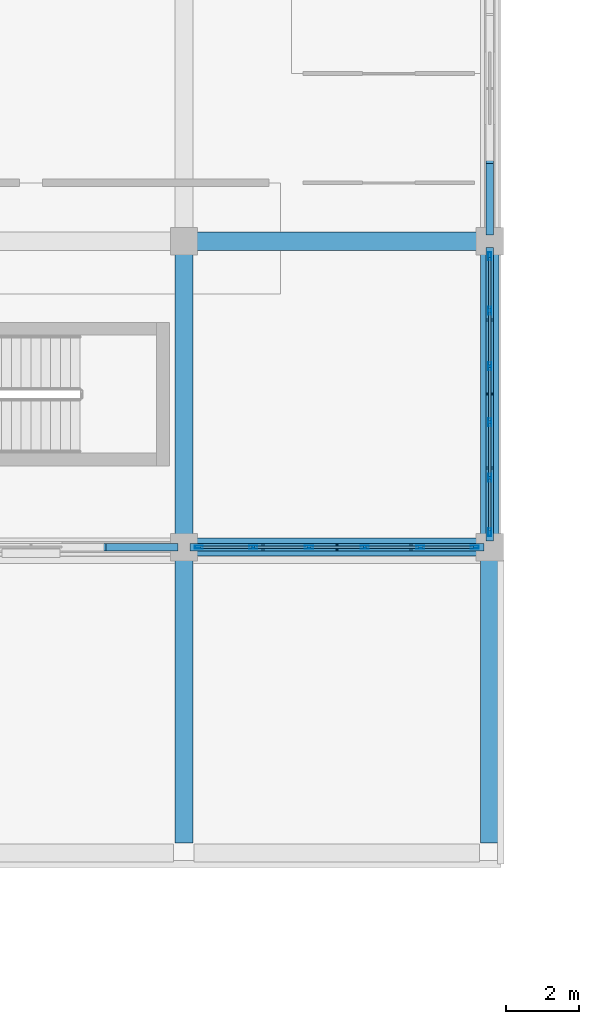
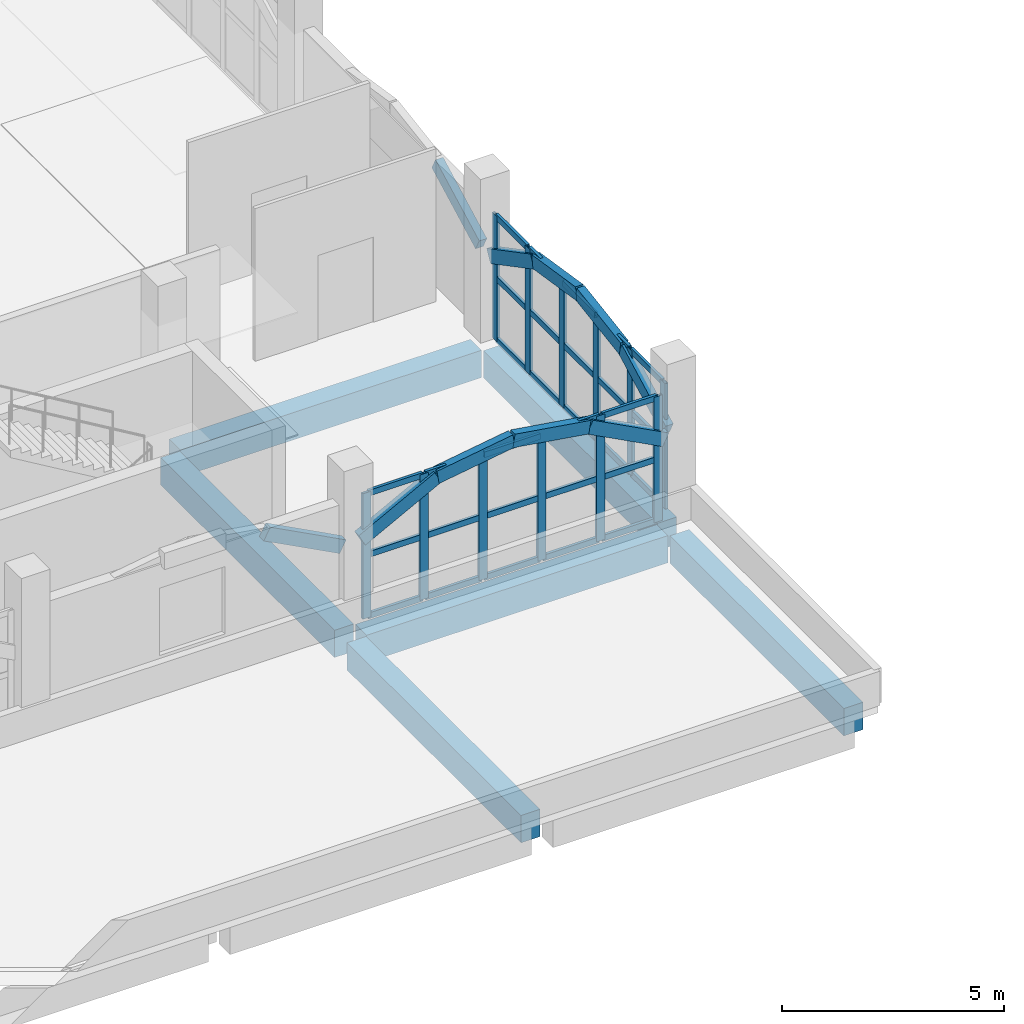
# One storey, part 13 of 30: 52 members, 6 beams, 2 elements without a shape of their own.
"""IFC4 building model written with IfcOpenShell, lengths in metres."""

from ifc_helpers import new_model, si_unit, direction, frame, origin, origin_2d, place, context, subcontext, project, spatial, rectangle, hollow_rectangle, extrude, material, layer, layer_set, material_profile, profile_set, type_object, element, aggregate, save


model = new_model("IFC4")

# Units and contexts
model_context = context("Model", 3, precision=1e-05, world=origin(), true_north=direction((0.0, 1.0)))
body_context = subcontext(model_context, "Body", "Model", "MODEL_VIEW")
ifc_project = project(units=[si_unit("LENGTHUNIT", "METRE"), si_unit("AREAUNIT", "SQUARE_METRE"), si_unit("VOLUMEUNIT", "CUBIC_METRE"), si_unit("PLANEANGLEUNIT", "RADIAN"), si_unit("MASSUNIT", "GRAM", prefix="KILO")], contexts=[model_context])

# Site, building, storey
site_placement = place(None, origin())
site = spatial("IfcSite", under=ifc_project, at=site_placement, CompositionType="ELEMENT")
building_placement = place(site_placement, origin())
building = spatial("IfcBuilding", under=site, at=building_placement, Name="Xazarin Passage Department Store", CompositionType="ELEMENT")
storey_placement = place(building_placement, frame((0.0, 0.0, 23.39990234375)))
storey = spatial("IfcBuildingStorey", under=building, at=storey_placement, Name="L05", CompositionType="ELEMENT", Elevation=23.39990234375)

# Curtain wall, members
ifc_material_1 = material(Name="Bronze anodised aluminium", Category="aluminium")
ifc_layer = layer(ifc_material_1, 0.199951171875)
ifc_layer_set = layer_set([ifc_layer], Name="Bronze anodised aluminium")
curtain_wall_type = type_object("IfcCurtainWallType", Name="ARC-CW-VIT2", PredefinedType="NOTDEFINED", material=ifc_layer_set)
curtain_wall_1_placement = place(storey_placement, origin())
curtain_wall_1 = element("IfcCurtainWall", 1, at=curtain_wall_1_placement, inside=storey, type_object=curtain_wall_type, Name="L05 V1 Curtain Wall 078", PredefinedType="NOTDEFINED")
ifc_material_profile_1 = material_profile(ifc_material_1, hollow_rectangle(XDim=0.074951171875, YDim=0.219970703125, WallThickness=0.0048828125, at=origin_2d()), Name="ALU 75x220")
ifc_profile_set_1 = profile_set([ifc_material_profile_1], Name="Bronze anodised aluminium")
member_type_1 = type_object("IfcMemberType", Name="ARC-CWM-75x220", PredefinedType="MULLION", material=ifc_profile_set_1)
member_1_placement = place(storey_placement, frame((34.012451171875, 76.39990234375, 0.0), z_axis=(0.0, 0.0, 1.0), x_axis=(0.0, 1.0, 0.0)))
member_1 = element("IfcMember", 2, at=member_1_placement, type_object=member_type_1, Name="CW2 mullion 1", PredefinedType="MULLION", context=body_context, shape_type="SweptSolid", body=[
    extrude(hollow_rectangle(XDim=0.074951171875, YDim=0.219970703125, WallThickness=0.0048828125, at=origin_2d()), origin(), (0.0, 0.0, 1.0), 3.4501953125),
])
member_2_placement = place(storey_placement, frame((35.5048828125, 76.39990234375, 0.0), z_axis=(0.0, 0.0, 1.0), x_axis=(0.0, 1.0, 0.0)))
member_2 = element("IfcMember", 3, at=member_2_placement, type_object=member_type_1, Name="CW2 mullion 2", PredefinedType="MULLION", context=body_context, shape_type="SweptSolid", body=[
    extrude(hollow_rectangle(XDim=0.074951171875, YDim=0.219970703125, WallThickness=0.0048828125, at=origin_2d()), origin(), (0.0, 0.0, 1.0), 3.4501953125),
])
member_3_placement = place(storey_placement, frame((37.034912109375, 76.39990234375, 0.0), z_axis=(0.0, 0.0, 1.0), x_axis=(0.0, 1.0, 0.0)))
member_3 = element("IfcMember", 4, at=member_3_placement, type_object=member_type_1, Name="CW2 mullion 3", PredefinedType="MULLION", context=body_context, shape_type="SweptSolid", body=[
    extrude(hollow_rectangle(XDim=0.074951171875, YDim=0.219970703125, WallThickness=0.0048828125, at=origin_2d()), origin(), (0.0, 0.0, 1.0), 3.4501953125),
])
member_4_placement = place(storey_placement, frame((38.56494140625, 76.39990234375, 0.0), z_axis=(0.0, 0.0, 1.0), x_axis=(0.0, 1.0, 0.0)))
member_4 = element("IfcMember", 5, at=member_4_placement, type_object=member_type_1, Name="CW2 mullion 4", PredefinedType="MULLION", context=body_context, shape_type="SweptSolid", body=[
    extrude(hollow_rectangle(XDim=0.074951171875, YDim=0.219970703125, WallThickness=0.0048828125, at=origin_2d()), origin(), (0.0, 0.0, 1.0), 3.4501953125),
])
member_5_placement = place(storey_placement, frame((40.094970703125, 76.39990234375, 0.0), z_axis=(0.0, 0.0, 1.0), x_axis=(0.0, 1.0, 0.0)))
member_5 = element("IfcMember", 6, at=member_5_placement, type_object=member_type_1, Name="CW2 mullion 5", PredefinedType="MULLION", context=body_context, shape_type="SweptSolid", body=[
    extrude(hollow_rectangle(XDim=0.074951171875, YDim=0.219970703125, WallThickness=0.0048828125, at=origin_2d()), origin(), (0.0, 0.0, 1.0), 3.4501953125),
])
member_6_placement = place(storey_placement, frame((41.58740234375, 76.39990234375, 0.0), z_axis=(0.0, 0.0, 1.0), x_axis=(0.0, 1.0, 0.0)))
member_6 = element("IfcMember", 7, at=member_6_placement, type_object=member_type_1, Name="CW2 mullion 6", PredefinedType="MULLION", context=body_context, shape_type="SweptSolid", body=[
    extrude(hollow_rectangle(XDim=0.074951171875, YDim=0.219970703125, WallThickness=0.0048828125, at=origin_2d()), origin(), (0.0, 0.0, 1.0), 3.4501953125),
])

curtain_wall_2_placement = place(storey_placement, origin())
curtain_wall_2 = element("IfcCurtainWall", 8, at=curtain_wall_2_placement, inside=storey, type_object=curtain_wall_type, Name="L05 V1 Curtain Wall 083", PredefinedType="NOTDEFINED")
member_7_placement = place(storey_placement, frame((42.0, 76.8125, 0.0), z_axis=(0.0, 0.0, 1.0), x_axis=(-1.0, 0.0, 0.0)))
member_7 = element("IfcMember", 9, at=member_7_placement, type_object=member_type_1, Name="CW2 mullion 1", PredefinedType="MULLION", context=body_context, shape_type="SweptSolid", body=[
    extrude(hollow_rectangle(XDim=0.074951171875, YDim=0.219970703125, WallThickness=0.0048828125, at=origin_2d()), origin(), (0.0, 0.0, 1.0), 3.4501953125),
])
member_8_placement = place(storey_placement, frame((42.0, 78.304931640625, 0.0), z_axis=(0.0, 0.0, 1.0), x_axis=(-1.0, 0.0, 0.0)))
member_8 = element("IfcMember", 10, at=member_8_placement, type_object=member_type_1, Name="CW2 mullion 2", PredefinedType="MULLION", context=body_context, shape_type="SweptSolid", body=[
    extrude(hollow_rectangle(XDim=0.074951171875, YDim=0.219970703125, WallThickness=0.0048828125, at=origin_2d()), origin(), (0.0, 0.0, 1.0), 3.4501953125),
])
member_9_placement = place(storey_placement, frame((42.0, 79.8349609375, 0.0), z_axis=(0.0, 0.0, 1.0), x_axis=(-1.0, 0.0, 0.0)))
member_9 = element("IfcMember", 11, at=member_9_placement, type_object=member_type_1, Name="CW2 mullion 3", PredefinedType="MULLION", context=body_context, shape_type="SweptSolid", body=[
    extrude(hollow_rectangle(XDim=0.074951171875, YDim=0.219970703125, WallThickness=0.0048828125, at=origin_2d()), origin(), (0.0, 0.0, 1.0), 3.4501953125),
])
member_10_placement = place(storey_placement, frame((42.0, 81.364990234375, 0.0), z_axis=(0.0, 0.0, 1.0), x_axis=(-1.0, 0.0, 0.0)))
member_10 = element("IfcMember", 12, at=member_10_placement, type_object=member_type_1, Name="CW2 mullion 4", PredefinedType="MULLION", context=body_context, shape_type="SweptSolid", body=[
    extrude(hollow_rectangle(XDim=0.074951171875, YDim=0.219970703125, WallThickness=0.0048828125, at=origin_2d()), origin(), (0.0, 0.0, 1.0), 3.4501953125),
])
member_11_placement = place(storey_placement, frame((42.0, 82.89501953125, 0.0), z_axis=(0.0, 0.0, 1.0), x_axis=(-1.0, 0.0, 0.0)))
member_11 = element("IfcMember", 13, at=member_11_placement, type_object=member_type_1, Name="CW2 mullion 5", PredefinedType="MULLION", context=body_context, shape_type="SweptSolid", body=[
    extrude(hollow_rectangle(XDim=0.074951171875, YDim=0.219970703125, WallThickness=0.0048828125, at=origin_2d()), origin(), (0.0, 0.0, 1.0), 3.4501953125),
])
member_12_placement = place(storey_placement, frame((42.0, 84.387451171875, 0.0), z_axis=(0.0, 0.0, 1.0), x_axis=(-1.0, 0.0, 0.0)))
member_12 = element("IfcMember", 14, at=member_12_placement, type_object=member_type_1, Name="CW2 mullion 6", PredefinedType="MULLION", context=body_context, shape_type="SweptSolid", body=[
    extrude(hollow_rectangle(XDim=0.074951171875, YDim=0.219970703125, WallThickness=0.0048828125, at=origin_2d()), origin(), (0.0, 0.0, 1.0), 3.4501953125),
])

# Member
ifc_material_profile_2 = material_profile(ifc_material_1, hollow_rectangle(XDim=0.074951171875, YDim=0.159912109375, WallThickness=0.00439453125, at=origin_2d()), Name="ALU 75x160")
ifc_profile_set_2 = profile_set([ifc_material_profile_2], Name="Bronze anodised aluminium")
member_type_2 = type_object("IfcMemberType", Name="ARC-CWT-75x160", PredefinedType="USERDEFINED", material=ifc_profile_set_2)
member_13_placement = place(storey_placement, frame((34.050048828125, 76.39990234375, 0.03759765625), z_axis=(1.0, 0.0, 0.0), x_axis=(0.0, 1.0, 0.0)))
member_13 = element("IfcMember", 15, at=member_13_placement, type_object=member_type_2, Name="CW2 transom 1.1", ObjectType="TRANSOM", PredefinedType="USERDEFINED", context=body_context, shape_type="SweptSolid", body=[
    extrude(hollow_rectangle(XDim=0.074951171875, YDim=0.159912109375, WallThickness=0.00439453125, at=origin_2d()), origin(), (0.0, 0.0, 1.0), 1.41748046875),
])

member_14_placement = place(storey_placement, frame((34.050048828125, 76.39990234375, 1.72509765625), z_axis=(1.0, 0.0, 0.0), x_axis=(0.0, 1.0, 0.0)))
member_14 = element("IfcMember", 16, at=member_14_placement, type_object=member_type_2, Name="CW2 transom 1.2", ObjectType="TRANSOM", PredefinedType="USERDEFINED", context=body_context, shape_type="SweptSolid", body=[
    extrude(hollow_rectangle(XDim=0.074951171875, YDim=0.159912109375, WallThickness=0.00439453125, at=origin_2d()), origin(), (0.0, 0.0, 1.0), 1.41748046875),
])

member_15_placement = place(storey_placement, frame((34.050048828125, 76.39990234375, 3.41259765625), z_axis=(1.0, 0.0, 0.0), x_axis=(0.0, 1.0, 0.0)))
member_15 = element("IfcMember", 17, at=member_15_placement, type_object=member_type_2, Name="CW2 transom 1.3", ObjectType="TRANSOM", PredefinedType="USERDEFINED", context=body_context, shape_type="SweptSolid", body=[
    extrude(hollow_rectangle(XDim=0.074951171875, YDim=0.159912109375, WallThickness=0.00439453125, at=origin_2d()), origin(), (0.0, 0.0, 1.0), 1.41748046875),
])

member_16_placement = place(storey_placement, frame((35.54248046875, 76.39990234375, 0.03759765625), z_axis=(1.0, 0.0, 0.0), x_axis=(0.0, 1.0, 0.0)))
member_16 = element("IfcMember", 18, at=member_16_placement, type_object=member_type_2, Name="CW2 transom 2.1", ObjectType="TRANSOM", PredefinedType="USERDEFINED", context=body_context, shape_type="SweptSolid", body=[
    extrude(hollow_rectangle(XDim=0.074951171875, YDim=0.159912109375, WallThickness=0.00439453125, at=origin_2d()), origin(), (0.0, 0.0, 1.0), 1.455078125),
])

member_17_placement = place(storey_placement, frame((35.54248046875, 76.39990234375, 1.72509765625), z_axis=(1.0, 0.0, 0.0), x_axis=(0.0, 1.0, 0.0)))
member_17 = element("IfcMember", 19, at=member_17_placement, type_object=member_type_2, Name="CW2 transom 2.2", ObjectType="TRANSOM", PredefinedType="USERDEFINED", context=body_context, shape_type="SweptSolid", body=[
    extrude(hollow_rectangle(XDim=0.074951171875, YDim=0.159912109375, WallThickness=0.00439453125, at=origin_2d()), origin(), (0.0, 0.0, 1.0), 1.455078125),
])

member_18_placement = place(storey_placement, frame((35.54248046875, 76.39990234375, 3.41259765625), z_axis=(1.0, 0.0, 0.0), x_axis=(0.0, 1.0, 0.0)))
member_18 = element("IfcMember", 20, at=member_18_placement, type_object=member_type_2, Name="CW2 transom 2.3", ObjectType="TRANSOM", PredefinedType="USERDEFINED", context=body_context, shape_type="SweptSolid", body=[
    extrude(hollow_rectangle(XDim=0.074951171875, YDim=0.159912109375, WallThickness=0.00439453125, at=origin_2d()), origin(), (0.0, 0.0, 1.0), 1.455078125),
])

member_19_placement = place(storey_placement, frame((37.072509765625, 76.39990234375, 0.03759765625), z_axis=(1.0, 0.0, 0.0), x_axis=(0.0, 1.0, 0.0)))
member_19 = element("IfcMember", 21, at=member_19_placement, type_object=member_type_2, Name="CW2 transom 3.1", ObjectType="TRANSOM", PredefinedType="USERDEFINED", context=body_context, shape_type="SweptSolid", body=[
    extrude(hollow_rectangle(XDim=0.074951171875, YDim=0.159912109375, WallThickness=0.00439453125, at=origin_2d()), origin(), (0.0, 0.0, 1.0), 1.455078125),
])

member_20_placement = place(storey_placement, frame((37.072509765625, 76.39990234375, 1.72509765625), z_axis=(1.0, 0.0, 0.0), x_axis=(0.0, 1.0, 0.0)))
member_20 = element("IfcMember", 22, at=member_20_placement, type_object=member_type_2, Name="CW2 transom 3.2", ObjectType="TRANSOM", PredefinedType="USERDEFINED", context=body_context, shape_type="SweptSolid", body=[
    extrude(hollow_rectangle(XDim=0.074951171875, YDim=0.159912109375, WallThickness=0.00439453125, at=origin_2d()), origin(), (0.0, 0.0, 1.0), 1.455078125),
])

member_21_placement = place(storey_placement, frame((37.072509765625, 76.39990234375, 3.41259765625), z_axis=(1.0, 0.0, 0.0), x_axis=(0.0, 1.0, 0.0)))
member_21 = element("IfcMember", 23, at=member_21_placement, type_object=member_type_2, Name="CW2 transom 3.3", ObjectType="TRANSOM", PredefinedType="USERDEFINED", context=body_context, shape_type="SweptSolid", body=[
    extrude(hollow_rectangle(XDim=0.074951171875, YDim=0.159912109375, WallThickness=0.00439453125, at=origin_2d()), origin(), (0.0, 0.0, 1.0), 1.455078125),
])

member_22_placement = place(storey_placement, frame((38.6025390625, 76.39990234375, 0.03759765625), z_axis=(1.0, 0.0, 0.0), x_axis=(0.0, 1.0, 0.0)))
member_22 = element("IfcMember", 24, at=member_22_placement, type_object=member_type_2, Name="CW2 transom 4.1", ObjectType="TRANSOM", PredefinedType="USERDEFINED", context=body_context, shape_type="SweptSolid", body=[
    extrude(hollow_rectangle(XDim=0.074951171875, YDim=0.159912109375, WallThickness=0.00439453125, at=origin_2d()), origin(), (0.0, 0.0, 1.0), 1.455078125),
])

member_23_placement = place(storey_placement, frame((38.6025390625, 76.39990234375, 1.72509765625), z_axis=(1.0, 0.0, 0.0), x_axis=(0.0, 1.0, 0.0)))
member_23 = element("IfcMember", 25, at=member_23_placement, type_object=member_type_2, Name="CW2 transom 4.2", ObjectType="TRANSOM", PredefinedType="USERDEFINED", context=body_context, shape_type="SweptSolid", body=[
    extrude(hollow_rectangle(XDim=0.074951171875, YDim=0.159912109375, WallThickness=0.00439453125, at=origin_2d()), origin(), (0.0, 0.0, 1.0), 1.455078125),
])

member_24_placement = place(storey_placement, frame((38.6025390625, 76.39990234375, 3.41259765625), z_axis=(1.0, 0.0, 0.0), x_axis=(0.0, 1.0, 0.0)))
member_24 = element("IfcMember", 26, at=member_24_placement, type_object=member_type_2, Name="CW2 transom 4.3", ObjectType="TRANSOM", PredefinedType="USERDEFINED", context=body_context, shape_type="SweptSolid", body=[
    extrude(hollow_rectangle(XDim=0.074951171875, YDim=0.159912109375, WallThickness=0.00439453125, at=origin_2d()), origin(), (0.0, 0.0, 1.0), 1.455078125),
])

member_25_placement = place(storey_placement, frame((40.132568359375, 76.39990234375, 0.03759765625), z_axis=(1.0, 0.0, 0.0), x_axis=(0.0, 1.0, 0.0)))
member_25 = element("IfcMember", 27, at=member_25_placement, type_object=member_type_2, Name="CW2 transom 5.1", ObjectType="TRANSOM", PredefinedType="USERDEFINED", context=body_context, shape_type="SweptSolid", body=[
    extrude(hollow_rectangle(XDim=0.074951171875, YDim=0.159912109375, WallThickness=0.00439453125, at=origin_2d()), origin(), (0.0, 0.0, 1.0), 1.41748046875),
])

member_26_placement = place(storey_placement, frame((40.132568359375, 76.39990234375, 1.72509765625), z_axis=(1.0, 0.0, 0.0), x_axis=(0.0, 1.0, 0.0)))
member_26 = element("IfcMember", 28, at=member_26_placement, type_object=member_type_2, Name="CW2 transom 5.2", ObjectType="TRANSOM", PredefinedType="USERDEFINED", context=body_context, shape_type="SweptSolid", body=[
    extrude(hollow_rectangle(XDim=0.074951171875, YDim=0.159912109375, WallThickness=0.00439453125, at=origin_2d()), origin(), (0.0, 0.0, 1.0), 1.41748046875),
])

member_27_placement = place(storey_placement, frame((40.132568359375, 76.39990234375, 3.41259765625), z_axis=(1.0, 0.0, 0.0), x_axis=(0.0, 1.0, 0.0)))
member_27 = element("IfcMember", 29, at=member_27_placement, type_object=member_type_2, Name="CW2 transom 5.3", ObjectType="TRANSOM", PredefinedType="USERDEFINED", context=body_context, shape_type="SweptSolid", body=[
    extrude(hollow_rectangle(XDim=0.074951171875, YDim=0.159912109375, WallThickness=0.00439453125, at=origin_2d()), origin(), (0.0, 0.0, 1.0), 1.41748046875),
])

aggregate(curtain_wall_1, [member_1, member_2, member_3, member_4, member_5, member_6, member_13, member_14, member_15, member_16, member_17, member_18, member_19, member_20, member_21, member_22, member_23, member_24, member_25, member_26, member_27])

member_28_placement = place(storey_placement, frame((42.0, 76.85009765625, 0.03759765625), z_axis=(0.0, 1.0, 0.0), x_axis=(-1.0, 0.0, 0.0)))
member_28 = element("IfcMember", 30, at=member_28_placement, type_object=member_type_2, Name="CW2 transom 1.1", ObjectType="TRANSOM", PredefinedType="USERDEFINED", context=body_context, shape_type="SweptSolid", body=[
    extrude(hollow_rectangle(XDim=0.074951171875, YDim=0.159912109375, WallThickness=0.00439453125, at=origin_2d()), origin(), (0.0, 0.0, 1.0), 1.41748046875),
])

member_29_placement = place(storey_placement, frame((42.0, 76.85009765625, 1.72509765625), z_axis=(0.0, 1.0, 0.0), x_axis=(-1.0, 0.0, 0.0)))
member_29 = element("IfcMember", 31, at=member_29_placement, type_object=member_type_2, Name="CW2 transom 1.2", ObjectType="TRANSOM", PredefinedType="USERDEFINED", context=body_context, shape_type="SweptSolid", body=[
    extrude(hollow_rectangle(XDim=0.074951171875, YDim=0.159912109375, WallThickness=0.00439453125, at=origin_2d()), origin(), (0.0, 0.0, 1.0), 1.41748046875),
])

member_30_placement = place(storey_placement, frame((42.0, 76.85009765625, 3.41259765625), z_axis=(0.0, 1.0, 0.0), x_axis=(-1.0, 0.0, 0.0)))
member_30 = element("IfcMember", 32, at=member_30_placement, type_object=member_type_2, Name="CW2 transom 1.3", ObjectType="TRANSOM", PredefinedType="USERDEFINED", context=body_context, shape_type="SweptSolid", body=[
    extrude(hollow_rectangle(XDim=0.074951171875, YDim=0.159912109375, WallThickness=0.00439453125, at=origin_2d()), origin(), (0.0, 0.0, 1.0), 1.41748046875),
])

member_31_placement = place(storey_placement, frame((42.0, 78.342529296875, 0.03759765625), z_axis=(0.0, 1.0, 0.0), x_axis=(-1.0, 0.0, 0.0)))
member_31 = element("IfcMember", 33, at=member_31_placement, type_object=member_type_2, Name="CW2 transom 2.1", ObjectType="TRANSOM", PredefinedType="USERDEFINED", context=body_context, shape_type="SweptSolid", body=[
    extrude(hollow_rectangle(XDim=0.074951171875, YDim=0.159912109375, WallThickness=0.00439453125, at=origin_2d()), origin(), (0.0, 0.0, 1.0), 1.455078125),
])

member_32_placement = place(storey_placement, frame((42.0, 78.342529296875, 1.72509765625), z_axis=(0.0, 1.0, 0.0), x_axis=(-1.0, 0.0, 0.0)))
member_32 = element("IfcMember", 34, at=member_32_placement, type_object=member_type_2, Name="CW2 transom 2.2", ObjectType="TRANSOM", PredefinedType="USERDEFINED", context=body_context, shape_type="SweptSolid", body=[
    extrude(hollow_rectangle(XDim=0.074951171875, YDim=0.159912109375, WallThickness=0.00439453125, at=origin_2d()), origin(), (0.0, 0.0, 1.0), 1.455078125),
])

member_33_placement = place(storey_placement, frame((42.0, 78.342529296875, 3.41259765625), z_axis=(0.0, 1.0, 0.0), x_axis=(-1.0, 0.0, 0.0)))
member_33 = element("IfcMember", 35, at=member_33_placement, type_object=member_type_2, Name="CW2 transom 2.3", ObjectType="TRANSOM", PredefinedType="USERDEFINED", context=body_context, shape_type="SweptSolid", body=[
    extrude(hollow_rectangle(XDim=0.074951171875, YDim=0.159912109375, WallThickness=0.00439453125, at=origin_2d()), origin(), (0.0, 0.0, 1.0), 1.455078125),
])

member_34_placement = place(storey_placement, frame((42.0, 79.87255859375, 0.03759765625), z_axis=(0.0, 1.0, 0.0), x_axis=(-1.0, 0.0, 0.0)))
member_34 = element("IfcMember", 36, at=member_34_placement, type_object=member_type_2, Name="CW2 transom 3.1", ObjectType="TRANSOM", PredefinedType="USERDEFINED", context=body_context, shape_type="SweptSolid", body=[
    extrude(hollow_rectangle(XDim=0.074951171875, YDim=0.159912109375, WallThickness=0.00439453125, at=origin_2d()), origin(), (0.0, 0.0, 1.0), 1.454833984375),
])

member_35_placement = place(storey_placement, frame((42.0, 79.87255859375, 1.72509765625), z_axis=(0.0, 1.0, 0.0), x_axis=(-1.0, 0.0, 0.0)))
member_35 = element("IfcMember", 37, at=member_35_placement, type_object=member_type_2, Name="CW2 transom 3.2", ObjectType="TRANSOM", PredefinedType="USERDEFINED", context=body_context, shape_type="SweptSolid", body=[
    extrude(hollow_rectangle(XDim=0.074951171875, YDim=0.159912109375, WallThickness=0.00439453125, at=origin_2d()), origin(), (0.0, 0.0, 1.0), 1.454833984375),
])

member_36_placement = place(storey_placement, frame((42.0, 79.87255859375, 3.41259765625), z_axis=(0.0, 1.0, 0.0), x_axis=(-1.0, 0.0, 0.0)))
member_36 = element("IfcMember", 38, at=member_36_placement, type_object=member_type_2, Name="CW2 transom 3.3", ObjectType="TRANSOM", PredefinedType="USERDEFINED", context=body_context, shape_type="SweptSolid", body=[
    extrude(hollow_rectangle(XDim=0.074951171875, YDim=0.159912109375, WallThickness=0.00439453125, at=origin_2d()), origin(), (0.0, 0.0, 1.0), 1.454833984375),
])

member_37_placement = place(storey_placement, frame((42.0, 81.402587890625, 0.03759765625), z_axis=(0.0, 1.0, 0.0), x_axis=(-1.0, 0.0, 0.0)))
member_37 = element("IfcMember", 39, at=member_37_placement, type_object=member_type_2, Name="CW2 transom 4.1", ObjectType="TRANSOM", PredefinedType="USERDEFINED", context=body_context, shape_type="SweptSolid", body=[
    extrude(hollow_rectangle(XDim=0.074951171875, YDim=0.159912109375, WallThickness=0.00439453125, at=origin_2d()), origin(), (0.0, 0.0, 1.0), 1.454833984375),
])

member_38_placement = place(storey_placement, frame((42.0, 81.402587890625, 1.72509765625), z_axis=(0.0, 1.0, 0.0), x_axis=(-1.0, 0.0, 0.0)))
member_38 = element("IfcMember", 40, at=member_38_placement, type_object=member_type_2, Name="CW2 transom 4.2", ObjectType="TRANSOM", PredefinedType="USERDEFINED", context=body_context, shape_type="SweptSolid", body=[
    extrude(hollow_rectangle(XDim=0.074951171875, YDim=0.159912109375, WallThickness=0.00439453125, at=origin_2d()), origin(), (0.0, 0.0, 1.0), 1.454833984375),
])

member_39_placement = place(storey_placement, frame((42.0, 81.402587890625, 3.41259765625), z_axis=(0.0, 1.0, 0.0), x_axis=(-1.0, 0.0, 0.0)))
member_39 = element("IfcMember", 41, at=member_39_placement, type_object=member_type_2, Name="CW2 transom 4.3", ObjectType="TRANSOM", PredefinedType="USERDEFINED", context=body_context, shape_type="SweptSolid", body=[
    extrude(hollow_rectangle(XDim=0.074951171875, YDim=0.159912109375, WallThickness=0.00439453125, at=origin_2d()), origin(), (0.0, 0.0, 1.0), 1.454833984375),
])

member_40_placement = place(storey_placement, frame((42.0, 82.9326171875, 0.03759765625), z_axis=(0.0, 1.0, 0.0), x_axis=(-1.0, 0.0, 0.0)))
member_40 = element("IfcMember", 42, at=member_40_placement, type_object=member_type_2, Name="CW2 transom 5.1", ObjectType="TRANSOM", PredefinedType="USERDEFINED", context=body_context, shape_type="SweptSolid", body=[
    extrude(hollow_rectangle(XDim=0.074951171875, YDim=0.159912109375, WallThickness=0.00439453125, at=origin_2d()), origin(), (0.0, 0.0, 1.0), 1.41748046875),
])

member_41_placement = place(storey_placement, frame((42.0, 82.9326171875, 1.72509765625), z_axis=(0.0, 1.0, 0.0), x_axis=(-1.0, 0.0, 0.0)))
member_41 = element("IfcMember", 43, at=member_41_placement, type_object=member_type_2, Name="CW2 transom 5.2", ObjectType="TRANSOM", PredefinedType="USERDEFINED", context=body_context, shape_type="SweptSolid", body=[
    extrude(hollow_rectangle(XDim=0.074951171875, YDim=0.159912109375, WallThickness=0.00439453125, at=origin_2d()), origin(), (0.0, 0.0, 1.0), 1.41748046875),
])

member_42_placement = place(storey_placement, frame((42.0, 82.9326171875, 3.41259765625), z_axis=(0.0, 1.0, 0.0), x_axis=(-1.0, 0.0, 0.0)))
member_42 = element("IfcMember", 44, at=member_42_placement, type_object=member_type_2, Name="CW2 transom 5.3", ObjectType="TRANSOM", PredefinedType="USERDEFINED", context=body_context, shape_type="SweptSolid", body=[
    extrude(hollow_rectangle(XDim=0.074951171875, YDim=0.159912109375, WallThickness=0.00439453125, at=origin_2d()), origin(), (0.0, 0.0, 1.0), 1.41748046875),
])

aggregate(curtain_wall_2, [member_7, member_8, member_9, member_10, member_11, member_12, member_28, member_29, member_30, member_31, member_32, member_33, member_34, member_35, member_36, member_37, member_38, member_39, member_40, member_41, member_42])

# Beams
ifc_material_2 = material(Name="Concrete C35/45", Category="concrete")
ifc_material_profile_3 = material_profile(ifc_material_2, rectangle(XDim=0.5, YDim=0.75, at=origin_2d()), Name="RC 500x750")
ifc_profile_set_3 = profile_set([ifc_material_profile_3], Name="Concrete C35/45")
beam_type = type_object("IfcBeamType", Name="STR-BM-SP500x750", PredefinedType="SPANDREL", material=ifc_profile_set_3)
for number, where, z_axis, x_axis, name in (
    (45, (33.8798828125, 76.39990234375, -0.6748046875), (1.0, 0.0, 0.0), (0.0, 1.0, 0.0), "L05 Grid Beam L/5-6"),
    (46, (33.8798828125, 84.800048828125, -0.6748046875), (1.0, 0.0, 0.0), (0.0, 1.0, 0.0), "L05 Grid Beam M/5-6"),
    (47, (33.60009765625, 68.280029296875, -0.6748046875), (0.0, 1.0, 0.0), (-1.0, 0.0, 0.0), "L05 Grid Beam 5/K-L"),
    (48, (33.60009765625, 76.679931640625, -0.6748046875), (0.0, 1.0, 0.0), (-1.0, 0.0, 0.0), "L05 Grid Beam 5/L-M"),
    (49, (42.0, 68.280029296875, -0.6748046875), (0.0, 1.0, 0.0), (-1.0, 0.0, 0.0), "L05 Grid Beam 6/K-L"),
    (50, (42.0, 76.679931640625, -0.6748046875), (0.0, 1.0, 0.0), (-1.0, 0.0, 0.0), "L05 Grid Beam 6/L-M"),
):
    element("IfcBeam", number, at=place(storey_placement, frame(where, z_axis=z_axis, x_axis=x_axis)), inside=storey, type_object=beam_type, Name=name, PredefinedType="SPANDREL", context=body_context, shape_type="SweptSolid", body=[
        extrude(rectangle(XDim=0.5, YDim=0.75, at=origin_2d()), origin(), (0.0, 0.0, 1.0), 7.840087890625),
    ])

# Members
ifc_material_3 = material(Name="Concrete C40/50", Category="concrete")
ifc_material_profile_4 = material_profile(ifc_material_3, rectangle(XDim=0.199951171875, YDim=0.360107421875, at=origin_2d()), Name="RC 200x360")
ifc_profile_set_4 = profile_set([ifc_material_profile_4], Name="Concrete C40/50")
member_type_3 = type_object("IfcMemberType", Name="STR-MEM-ARC360", PredefinedType="CHORD", material=ifc_profile_set_4)
member_43_placement = place(storey_placement, frame((31.375, 76.39990234375, 3.2705078125), z_axis=(0.88473311603, 0.0, -0.466097965454), x_axis=(0.0, 1.0, 0.0)))
element("IfcMember", 51, at=member_43_placement, inside=storey, type_object=member_type_3, Name="L05 V1 Upper Setback Pierced Arch 031.4", PredefinedType="CHORD", context=body_context, shape_type="SweptSolid", body=[
    extrude(rectangle(XDim=0.199951171875, YDim=0.360107421875, at=origin_2d()), origin(), (0.0, 0.0, 1.0), 2.232421875),
])
member_44_placement = place(storey_placement, frame((33.85009765625, 76.39990234375, 2.22998046875), z_axis=(0.884709354127, 0.0, 0.466143066793), x_axis=(0.0, 1.0, 0.0)))
element("IfcMember", 52, at=member_44_placement, inside=storey, type_object=member_type_3, Name="L05 V1 Upper Setback Pierced Arch 032.1", PredefinedType="CHORD", context=body_context, shape_type="SweptSolid", body=[
    extrude(rectangle(XDim=0.199951171875, YDim=0.360107421875, at=origin_2d()), origin(), (0.0, 0.0, 1.0), 2.232177734375),
])
member_45_placement = place(storey_placement, frame((35.824951171875, 76.39990234375, 3.2705078125), z_axis=(0.987938581312, 0.0, 0.154846244883), x_axis=(0.0, 1.0, 0.0)))
element("IfcMember", 53, at=member_45_placement, inside=storey, type_object=member_type_3, Name="L05 V1 Upper Setback Pierced Arch 032.2", PredefinedType="CHORD", context=body_context, shape_type="SweptSolid", body=[
    extrude(rectangle(XDim=0.199951171875, YDim=0.360107421875, at=origin_2d()), origin(), (0.0, 0.0, 1.0), 1.999267578125),
])
member_46_placement = place(storey_placement, frame((37.800048828125, 76.39990234375, 3.580078125), z_axis=(0.987935652704, 0.0, -0.154864928623), x_axis=(0.0, 1.0, 0.0)))
element("IfcMember", 54, at=member_46_placement, inside=storey, type_object=member_type_3, Name="L05 V1 Upper Setback Pierced Arch 032.3", PredefinedType="CHORD", context=body_context, shape_type="SweptSolid", body=[
    extrude(rectangle(XDim=0.199951171875, YDim=0.360107421875, at=origin_2d()), origin(), (0.0, 0.0, 1.0), 1.9990234375),
])
for number, where, z_axis, x_axis, name in (
    (55, (39.77490234375, 76.39990234375, 3.2705078125), (0.88473311603, 0.0, -0.466097965454), (0.0, 1.0, 0.0), "L05 V1 Upper Setback Pierced Arch 032.4"),
    (56, (42.0, 76.64990234375, 2.22998046875), (0.0, 0.88473311603, 0.466097965454), (-1.0, 0.0, 0.0), "L05 V1 Upper Setback Pierced Arch 033.1"),
):
    element("IfcMember", number, at=place(storey_placement, frame(where, z_axis=z_axis, x_axis=x_axis)), inside=storey, type_object=member_type_3, Name=name, PredefinedType="CHORD", context=body_context, shape_type="SweptSolid", body=[
        extrude(rectangle(XDim=0.199951171875, YDim=0.360107421875, at=origin_2d()), origin(), (0.0, 0.0, 1.0), 2.232421875),
    ])
member_47_placement = place(storey_placement, frame((42.0, 78.625, 3.2705078125), z_axis=(0.0, 0.987938581312, 0.154846244883), x_axis=(-1.0, 0.0, 0.0)))
element("IfcMember", 57, at=member_47_placement, inside=storey, type_object=member_type_3, Name="L05 V1 Upper Setback Pierced Arch 033.2", PredefinedType="CHORD", context=body_context, shape_type="SweptSolid", body=[
    extrude(rectangle(XDim=0.199951171875, YDim=0.360107421875, at=origin_2d()), origin(), (0.0, 0.0, 1.0), 1.999267578125),
])
member_48_placement = place(storey_placement, frame((42.0, 80.60009765625, 3.580078125), z_axis=(0.0, 0.987935652704, -0.154864928623), x_axis=(-1.0, 0.0, 0.0)))
element("IfcMember", 58, at=member_48_placement, inside=storey, type_object=member_type_3, Name="L05 V1 Upper Setback Pierced Arch 033.3", PredefinedType="CHORD", context=body_context, shape_type="SweptSolid", body=[
    extrude(rectangle(XDim=0.199951171875, YDim=0.360107421875, at=origin_2d()), origin(), (0.0, 0.0, 1.0), 1.9990234375),
])
member_49_placement = place(storey_placement, frame((42.0, 82.574951171875, 3.2705078125), z_axis=(0.0, 0.88473311603, -0.466097965454), x_axis=(-1.0, 0.0, 0.0)))
element("IfcMember", 59, at=member_49_placement, inside=storey, type_object=member_type_3, Name="L05 V1 Upper Setback Pierced Arch 033.4", PredefinedType="CHORD", context=body_context, shape_type="SweptSolid", body=[
    extrude(rectangle(XDim=0.199951171875, YDim=0.360107421875, at=origin_2d()), origin(), (0.0, 0.0, 1.0), 2.232421875),
])
member_50_placement = place(storey_placement, frame((42.0, 85.050048828125, 2.22998046875), z_axis=(0.0, 0.884709354127, 0.466143066793), x_axis=(-1.0, 0.0, 0.0)))
element("IfcMember", 60, at=member_50_placement, inside=storey, type_object=member_type_3, Name="L05 V1 Upper Setback Pierced Arch 034.1", PredefinedType="CHORD", context=body_context, shape_type="SweptSolid", body=[
    extrude(rectangle(XDim=0.199951171875, YDim=0.360107421875, at=origin_2d()), origin(), (0.0, 0.0, 1.0), 2.232177734375),
])

save(model, "model.ifc")
